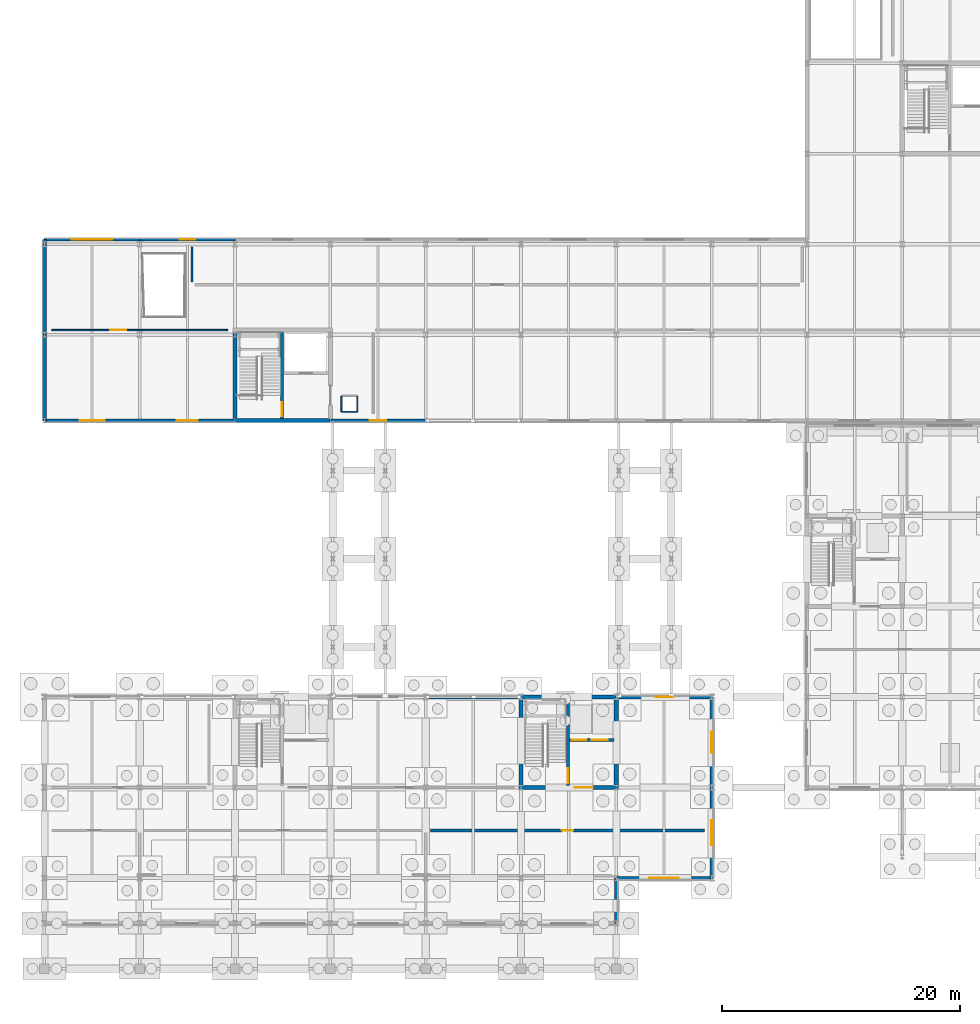
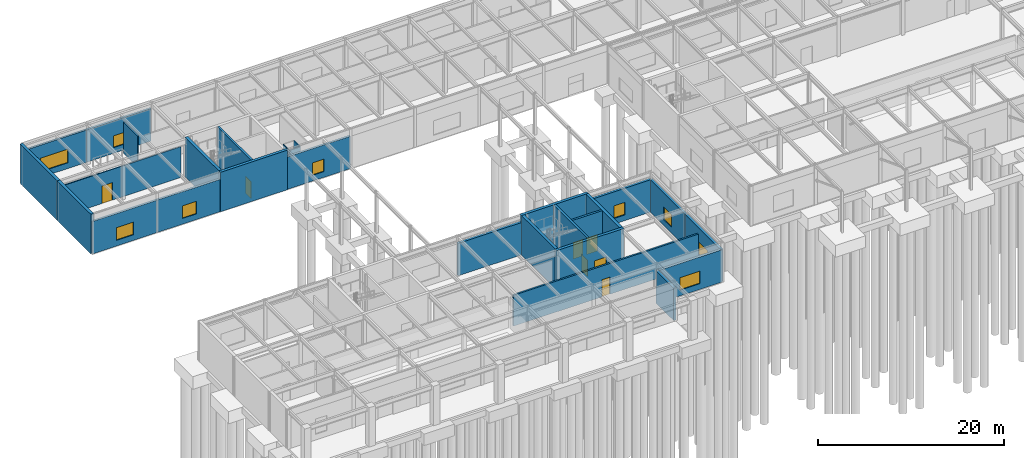
# One storey, part 41 of 62: 28 walls, 9 windows, 7 doors, 16 openings.
"""IFC4 building model written with IfcOpenShell, lengths in metres."""

from ifc_helpers import new_model, si_unit, direction, frame, frame_2d, origin, place, context, subcontext, project, spatial, rectangle, extrude, material, layer, layer_set, type_object, element, fill, save


model = new_model("IFC4")

# Units and contexts
model_context = context("Model", 3, precision=1e-05, world=origin(), true_north=direction((0.0, 1.0)))
body_context = subcontext(model_context, "Body", "Model", "MODEL_VIEW")
ifc_project = project(units=[si_unit("LENGTHUNIT", "METRE"), si_unit("AREAUNIT", "SQUARE_METRE"), si_unit("VOLUMEUNIT", "CUBIC_METRE"), si_unit("PLANEANGLEUNIT", "RADIAN"), si_unit("MASSUNIT", "GRAM", prefix="KILO")], contexts=[model_context])

# Site, building, storey
site_placement = place(None, origin())
site = spatial("IfcSite", under=ifc_project, at=site_placement, CompositionType="ELEMENT")
building_placement = place(site_placement, origin())
building = spatial("IfcBuilding", under=site, at=building_placement, Name="Zulena Civic Courthouse", CompositionType="ELEMENT")
storey_placement = place(building_placement, origin())
storey = spatial("IfcBuildingStorey", under=building, at=storey_placement, Name="L00", CompositionType="ELEMENT", Elevation=0.0)

# Wall, opening, door
ifc_material_1 = material(Name="Concrete C40/50", Category="concrete")
ifc_layer_1 = layer(ifc_material_1, 0.25)
ifc_layer_set_1 = layer_set([ifc_layer_1], Name="Concrete C40/50")
wall_type_1 = type_object("IfcWallType", Name="CoreShearWall_RC250", PredefinedType="SHEAR", material=ifc_layer_set_1)
wall_1_placement = place(storey_placement, frame((47.949951171875, 15.375, 0.0), z_axis=(0.0, 0.0, 1.0), x_axis=(0.0, 1.0, 0.0)))
wall_1 = element("IfcWall", 1, at=wall_1_placement, inside=storey, type_object=wall_type_1, Name="cwall:K2B:L00:DIV", PredefinedType="SHEAR", context=body_context, shape_type="SweptSolid", body=[
    extrude(rectangle(XDim=7.25, YDim=0.25, at=frame_2d((3.625, 0.0))), origin(), (0.0, 0.0, 1.0), 5.18994140625),
])
opening_1_placement = place(wall_1_placement, frame((0.179931640625, 0.0, 0.0)))
opening_1 = element("IfcOpeningElement", 2, at=opening_1_placement, cuts=wall_1, Name="Opening ID06", PredefinedType="OPENING", context=body_context, shape_type="SweptSolid", body=[
    extrude(rectangle(XDim=1.25, YDim=2.199951171875, at=frame_2d((0.625, 1.10009765625))), frame((0.0, 0.135009765625, 0.0), z_axis=(0.0, -1.0, 0.0), x_axis=(1.0, 0.0, 0.0)), (0.0, 0.0, 1.0), 0.27001953125),
])
ifc_material_2 = material(Name="Fire-rated galvanised steel ASTM A653 Grade 50", Category="steel")
door_type_1 = type_object("IfcDoorType", Name="IntDoor_Stair_1250x2200", OperationType="NOTDEFINED", PredefinedType="DOOR", material=ifc_material_2)
door_1_placement = place(opening_1_placement, origin())
door_1 = element("IfcDoor", 3, at=door_1_placement, inside=storey, type_object=door_type_1, Name="door:stair:K2B:L00", OperationType="SINGLE_SWING_LEFT", OverallHeight=2.199951171875, OverallWidth=1.25, PredefinedType="DOOR", context=body_context, shape_type="SweptSolid", body=[
    extrude(rectangle(XDim=1.25, YDim=2.199951171875, at=frame_2d((0.625, 1.10009765625))), frame((0.0, 0.02490234375, 0.0), z_axis=(0.0, -1.0, 0.0), x_axis=(1.0, 0.0, 0.0)), (0.0, 0.0, 1.0), 0.050048828125),
])
fill(opening_1, door_1)

# Wall, openings, doors
wall_2_placement = place(storey_placement, frame((48.074951171875, 19.199951171875, 0.0), z_axis=(0.0, 0.0, 1.0), x_axis=(1.0, 0.0, 0.0)))
wall_2 = element("IfcWall", 4, at=wall_2_placement, inside=storey, type_object=wall_type_1, Name="cwall:K2B:L00:SHF", PredefinedType="SHEAR", context=body_context, shape_type="SweptSolid", body=[
    extrude(rectangle(XDim=3.75, YDim=0.25, at=frame_2d((1.875, 0.0))), origin(), (0.0, 0.0, 1.0), 5.18994140625),
])
opening_2_placement = place(wall_2_placement, frame((0.179931640625, 0.0, 0.0)))
opening_2 = element("IfcOpeningElement", 5, at=opening_2_placement, cuts=wall_2, Name="Opening LD01", PredefinedType="OPENING", context=body_context, shape_type="SweptSolid", body=[
    extrude(rectangle(XDim=1.199951171875, YDim=2.199951171875, at=frame_2d((0.60009765625, 1.10009765625))), frame((0.0, 0.135009765625, 0.0), z_axis=(0.0, -1.0, 0.0), x_axis=(1.0, 0.0, 0.0)), (0.0, 0.0, 1.0), 0.27001953125),
])
opening_3_placement = place(wall_2_placement, frame((1.85009765625, 0.0, 0.0)))
opening_3 = element("IfcOpeningElement", 6, at=opening_3_placement, cuts=wall_2, Name="Opening LD04", PredefinedType="OPENING", context=body_context, shape_type="SweptSolid", body=[
    extrude(rectangle(XDim=1.35009765625, YDim=2.199951171875, at=frame_2d((0.675048828125, 1.10009765625))), frame((0.0, 0.135009765625, 0.0), z_axis=(0.0, -1.0, 0.0), x_axis=(1.0, 0.0, 0.0)), (0.0, 0.0, 1.0), 0.27001953125),
])
door_type_2 = type_object("IfcDoorType", Name="LiftLandingDoor_FF_1200x2200", OperationType="SLIDING_TO_LEFT", PredefinedType="DOOR", material=ifc_material_2)
door_2_placement = place(opening_2_placement, origin())
door_2 = element("IfcDoor", 7, at=door_2_placement, inside=storey, type_object=door_type_2, Name="door:ld:FL-02:L00", OperationType="SLIDING_TO_LEFT", OverallHeight=2.199951171875, OverallWidth=1.199951171875, PredefinedType="DOOR", context=body_context, shape_type="SweptSolid", body=[
    extrude(rectangle(XDim=1.199951171875, YDim=2.199951171875, at=frame_2d((0.60009765625, 1.10009765625))), frame((0.0, 0.02490234375, 0.0), z_axis=(0.0, -1.0, 0.0), x_axis=(1.0, 0.0, 0.0)), (0.0, 0.0, 1.0), 0.050048828125),
])
fill(opening_2, door_2)
door_type_3 = type_object("IfcDoorType", Name="LiftLandingDoor_Goods_1350x2300", OperationType="DOUBLE_DOOR_SLIDING", PredefinedType="DOOR", material=ifc_material_2)
door_3_placement = place(opening_3_placement, origin())
door_3 = element("IfcDoor", 8, at=door_3_placement, inside=storey, type_object=door_type_3, Name="door:ld:CL-01:L00", OperationType="DOUBLE_DOOR_SLIDING", OverallHeight=2.199951171875, OverallWidth=1.35009765625, PredefinedType="DOOR", context=body_context, shape_type="SweptSolid", body=[
    extrude(rectangle(XDim=1.35009765625, YDim=2.199951171875, at=frame_2d((0.675048828125, 1.10009765625))), frame((0.0, 0.02490234375, 0.0), z_axis=(0.0, -1.0, 0.0), x_axis=(1.0, 0.0, 0.0)), (0.0, 0.0, 1.0), 0.050048828125),
])
fill(opening_3, door_3)

# Wall, opening, door
wall_3_placement = place(storey_placement, frame((23.949951171875, 46.175048828125, 0.0), z_axis=(0.0, 0.0, 1.0), x_axis=(0.0, 1.0, 0.0)))
wall_3 = element("IfcWall", 9, at=wall_3_placement, inside=storey, type_object=wall_type_1, Name="cwall:K5A:L00:DIV", PredefinedType="SHEAR", context=body_context, shape_type="SweptSolid", body=[
    extrude(rectangle(XDim=7.25, YDim=0.25, at=frame_2d((3.625, 0.0))), origin(), (0.0, 0.0, 1.0), 5.18994140625),
])
opening_4_placement = place(wall_3_placement, frame((0.179931640625, 0.0, 0.0)))
opening_4 = element("IfcOpeningElement", 10, at=opening_4_placement, cuts=wall_3, Name="Opening ID07", PredefinedType="OPENING", context=body_context, shape_type="SweptSolid", body=[
    extrude(rectangle(XDim=1.199951171875, YDim=2.199951171875, at=frame_2d((0.60009765625, 1.10009765625))), frame((0.0, 0.135009765625, 0.0), z_axis=(0.0, -1.0, 0.0), x_axis=(1.0, 0.0, 0.0)), (0.0, 0.0, 1.0), 0.27001953125),
])
door_type_4 = type_object("IfcDoorType", Name="IntDoor_Stair_1200x2200", OperationType="NOTDEFINED", PredefinedType="DOOR", material=ifc_material_2)
door_4_placement = place(opening_4_placement, origin())
door_4 = element("IfcDoor", 11, at=door_4_placement, inside=storey, type_object=door_type_4, Name="door:stair:K5A:L00", OperationType="SINGLE_SWING_RIGHT", OverallHeight=2.199951171875, OverallWidth=1.199951171875, PredefinedType="DOOR", context=body_context, shape_type="SweptSolid", body=[
    extrude(rectangle(XDim=1.199951171875, YDim=2.199951171875, at=frame_2d((0.60009765625, 1.10009765625))), frame((0.0, 0.02490234375, 0.0), z_axis=(0.0, -1.0, 0.0), x_axis=(1.0, 0.0, 0.0)), (0.0, 0.0, 1.0), 0.050048828125),
])
fill(opening_4, door_4)

ifc_layer_2 = layer(ifc_material_1, 0.35009765625)
ifc_layer_set_2 = layer_set([ifc_layer_2], Name="Concrete C40/50")
wall_type_2 = type_object("IfcWallType", Name="CoreShearWall_RC350", PredefinedType="SHEAR", material=ifc_layer_set_2)
wall_4_placement = place(storey_placement, frame((43.824951171875, 15.199951171875, 0.0), z_axis=(0.0, 0.0, 1.0), x_axis=(1.0, 0.0, 0.0)))
wall_4 = element("IfcWall", 12, at=wall_4_placement, inside=storey, type_object=wall_type_2, Name="cwall:K2B:L00:S", PredefinedType="SHEAR", context=body_context, shape_type="SweptSolid", body=[
    extrude(rectangle(XDim=8.35009765625, YDim=0.35009765625, at=frame_2d((4.175048828125, 0.0))), origin(), (0.0, 0.0, 1.0), 5.18994140625),
])
opening_5_placement = place(wall_4_placement, frame((4.68505859375, 0.0, 0.0)))
opening_5 = element("IfcOpeningElement", 13, at=opening_5_placement, cuts=wall_4, Name="Opening ID05", PredefinedType="OPENING", context=body_context, shape_type="SweptSolid", body=[
    extrude(rectangle(XDim=1.5, YDim=2.199951171875, at=frame_2d((0.75, 1.10009765625))), frame((0.0, 0.18505859375, 0.0), z_axis=(0.0, -1.0, 0.0), x_axis=(1.0, 0.0, 0.0)), (0.0, 0.0, 1.0), 0.3701171875),
])
door_type_5 = type_object("IfcDoorType", Name="IntDoor_FFLobby_1500x2200", OperationType="DOUBLE_DOOR_SINGLE_SWING", PredefinedType="DOOR", material=ifc_material_2)
door_5_placement = place(opening_5_placement, origin())
door_5 = element("IfcDoor", 14, at=door_5_placement, inside=storey, type_object=door_type_5, Name="door:corelob:K2B:L00", OperationType="DOUBLE_DOOR_SINGLE_SWING", OverallHeight=2.199951171875, OverallWidth=1.5, PredefinedType="DOOR", context=body_context, shape_type="SweptSolid", body=[
    extrude(rectangle(XDim=1.5, YDim=2.199951171875, at=frame_2d((0.75, 1.10009765625))), frame((0.0, 0.02490234375, 0.0), z_axis=(0.0, -1.0, 0.0), x_axis=(1.0, 0.0, 0.0)), (0.0, 0.0, 1.0), 0.050048828125),
])
fill(opening_5, door_5)

# Walls
wall_5_placement = place(storey_placement, frame((43.824951171875, 22.800048828125, 0.0), z_axis=(0.0, 0.0, 1.0), x_axis=(1.0, 0.0, 0.0)))
element("IfcWall", 15, at=wall_5_placement, inside=storey, type_object=wall_type_2, Name="cwall:K2B:L00:N", PredefinedType="SHEAR", context=body_context, shape_type="SweptSolid", body=[
    extrude(rectangle(XDim=8.35009765625, YDim=0.35009765625, at=frame_2d((4.175048828125, 0.0))), origin(), (0.0, 0.0, 1.0), 5.18994140625),
])
for number, where, z_axis, x_axis, name in (
    (16, (44.0, 15.375, 0.0), (0.0, 0.0, 1.0), (0.0, 1.0, 0.0), "cwall:K2B:L00:W"),
    (17, (52.0, 15.375, 0.0), (0.0, 0.0, 1.0), (0.0, 1.0, 0.0), "cwall:K2B:L00:E"),
):
    element("IfcWall", number, at=place(storey_placement, frame(where, z_axis=z_axis, x_axis=x_axis)), inside=storey, type_object=wall_type_2, Name=name, PredefinedType="SHEAR", context=body_context, shape_type="SweptSolid", body=[
        extrude(rectangle(XDim=7.25, YDim=0.35009765625, at=frame_2d((3.625, 0.0))), origin(), (0.0, 0.0, 1.0), 5.18994140625),
    ])
wall_6_placement = place(storey_placement, frame((19.824951171875, 46.0, 0.0), z_axis=(0.0, 0.0, 1.0), x_axis=(1.0, 0.0, 0.0)))
element("IfcWall", 18, at=wall_6_placement, inside=storey, type_object=wall_type_2, Name="cwall:K5A:L00:S", PredefinedType="SHEAR", context=body_context, shape_type="SweptSolid", body=[
    extrude(rectangle(XDim=8.35009765625, YDim=0.35009765625, at=frame_2d((4.175048828125, 0.0))), origin(), (0.0, 0.0, 1.0), 5.18994140625),
])
wall_7_placement = place(storey_placement, frame((20.0, 46.175048828125, 0.0), z_axis=(0.0, 0.0, 1.0), x_axis=(0.0, 1.0, 0.0)))
element("IfcWall", 19, at=wall_7_placement, inside=storey, type_object=wall_type_2, Name="cwall:K5A:L00:W", PredefinedType="SHEAR", context=body_context, shape_type="SweptSolid", body=[
    extrude(rectangle(XDim=7.25, YDim=0.35009765625, at=frame_2d((3.625, 0.0))), origin(), (0.0, 0.0, 1.0), 5.18994140625),
])

# Wall, opening, window
ifc_material_3 = material(Name="Buff architectural precast concrete C40/50", Category="concrete")
ifc_layer_3 = layer(ifc_material_3, 0.264892578125)
ifc_layer_set_3 = layer_set([ifc_layer_3], Name="Buff architectural precast concrete C40/50")
wall_type_3 = type_object("IfcWallType", Name="ExtWall_BuffPrecast_265", PredefinedType="STANDARD", material=ifc_layer_set_3)
wall_8_placement = place(storey_placement, frame((3.97998046875, 61.199951171875, 0.0), z_axis=(0.0, 0.0, 1.0), x_axis=(1.0, 0.0, 0.0)))
wall_8 = element("IfcWall", 20, at=wall_8_placement, inside=storey, type_object=wall_type_3, Name="ewall:V5:L00:1:0", PredefinedType="STANDARD", context=body_context, shape_type="SweptSolid", body=[
    extrude(rectangle(XDim=8.0400390625, YDim=0.264892578125, at=frame_2d((4.02001953125, 0.0))), origin(), (0.0, 0.0, 1.0), 4.25),
])
opening_6_placement = place(wall_8_placement, frame((2.320068359375, 0.0, 0.75)))
opening_6 = element("IfcOpeningElement", 21, at=opening_6_placement, cuts=wall_8, Name="Opening WN23", PredefinedType="OPENING", context=body_context, shape_type="SweptSolid", body=[
    extrude(rectangle(XDim=3.39990234375, YDim=1.800048828125, at=frame_2d((1.699951171875, 0.89990234375))), frame((0.0, 0.142333984375, 0.0), z_axis=(0.0, -1.0, 0.0), x_axis=(1.0, 0.0, 0.0)), (0.0, 0.0, 1.0), 0.284912109375),
])
ifc_material_4 = material(Name="Double-silver low-E laminated solar-control glass", Category="glass")
window_type_1 = type_object("IfcWindowType", Name="Win_3400x1800", PartitioningType="DOUBLE_PANEL_VERTICAL", PredefinedType="WINDOW", material=ifc_material_4)
window_1_placement = place(opening_6_placement, origin())
window_1 = element("IfcWindow", 22, at=window_1_placement, inside=storey, type_object=window_type_1, Name="win:V5:L00:1:0", OverallHeight=1.800048828125, OverallWidth=3.39990234375, PartitioningType="SINGLE_PANEL", PredefinedType="WINDOW", context=body_context, shape_type="SweptSolid", body=[
    extrude(rectangle(XDim=3.39990234375, YDim=1.800048828125, at=frame_2d((1.699951171875, 0.89990234375))), frame((0.0, 0.030029296875, 0.0), z_axis=(0.0, -1.0, 0.0), x_axis=(1.0, 0.0, 0.0)), (0.0, 0.0, 1.0), 0.06005859375),
])
fill(opening_6, window_1)

wall_9_placement = place(storey_placement, frame((11.97998046875, 61.199951171875, 0.0), z_axis=(0.0, 0.0, 1.0), x_axis=(1.0, 0.0, 0.0)))
wall_9 = element("IfcWall", 23, at=wall_9_placement, inside=storey, type_object=wall_type_3, Name="ewall:V5:L00:1:1", PredefinedType="STANDARD", context=body_context, shape_type="SweptSolid", body=[
    extrude(rectangle(XDim=8.0400390625, YDim=0.264892578125, at=frame_2d((4.02001953125, 0.0))), origin(), (0.0, 0.0, 1.0), 4.25),
])
opening_7_placement = place(wall_9_placement, frame((3.3701171875, 0.0, 0.75)))
opening_7 = element("IfcOpeningElement", 24, at=opening_7_placement, cuts=wall_9, Name="Opening WN24", PredefinedType="OPENING", context=body_context, shape_type="SweptSolid", body=[
    extrude(rectangle(XDim=1.300048828125, YDim=1.550048828125, at=frame_2d((0.64990234375, 0.77490234375))), frame((0.0, 0.142333984375, 0.0), z_axis=(0.0, -1.0, 0.0), x_axis=(1.0, 0.0, 0.0)), (0.0, 0.0, 1.0), 0.284912109375),
])
window_type_2 = type_object("IfcWindowType", Name="Win_1300x1550", PartitioningType="SINGLE_PANEL", PredefinedType="WINDOW", material=ifc_material_4)
window_2_placement = place(opening_7_placement, origin())
window_2 = element("IfcWindow", 25, at=window_2_placement, inside=storey, type_object=window_type_2, Name="win:V5:L00:1:1", OverallHeight=1.550048828125, OverallWidth=1.300048828125, PartitioningType="SINGLE_PANEL", PredefinedType="WINDOW", context=body_context, shape_type="SweptSolid", body=[
    extrude(rectangle(XDim=1.300048828125, YDim=1.550048828125, at=frame_2d((0.64990234375, 0.77490234375))), frame((0.0, 0.030029296875, 0.0), z_axis=(0.0, -1.0, 0.0), x_axis=(1.0, 0.0, 0.0)), (0.0, 0.0, 1.0), 0.06005859375),
])
fill(opening_7, window_2)

wall_10_placement = place(storey_placement, frame((36.02001953125, 46.0, 0.0), z_axis=(0.0, 0.0, 1.0), x_axis=(-1.0, 0.0, 0.0)))
wall_10 = element("IfcWall", 26, at=wall_10_placement, inside=storey, type_object=wall_type_3, Name="ewall:V5:L00:5:9", PredefinedType="STANDARD", context=body_context, shape_type="SweptSolid", body=[
    extrude(rectangle(XDim=8.0400390625, YDim=0.264892578125, at=frame_2d((4.02001953125, 0.0))), origin(), (0.0, 0.0, 1.0), 4.25),
])
opening_8_placement = place(wall_10_placement, frame((3.320068359375, 0.0, 0.75)))
opening_8 = element("IfcOpeningElement", 27, at=opening_8_placement, cuts=wall_10, Name="Opening WN42", PredefinedType="OPENING", context=body_context, shape_type="SweptSolid", body=[
    extrude(rectangle(XDim=1.39990234375, YDim=1.64990234375, at=frame_2d((0.699951171875, 0.824951171875))), frame((0.0, 0.142333984375, 0.0), z_axis=(0.0, -1.0, 0.0), x_axis=(1.0, 0.0, 0.0)), (0.0, 0.0, 1.0), 0.284912109375),
])
window_type_3 = type_object("IfcWindowType", Name="Win_1400x1650", PartitioningType="SINGLE_PANEL", PredefinedType="WINDOW", material=ifc_material_4)
window_3_placement = place(opening_8_placement, origin())
window_3 = element("IfcWindow", 28, at=window_3_placement, inside=storey, type_object=window_type_3, Name="win:V5:L00:5:9", OverallHeight=1.64990234375, OverallWidth=1.39990234375, PartitioningType="SINGLE_PANEL", PredefinedType="WINDOW", context=body_context, shape_type="SweptSolid", body=[
    extrude(rectangle(XDim=1.39990234375, YDim=1.64990234375, at=frame_2d((0.699951171875, 0.824951171875))), frame((0.0, 0.030029296875, 0.0), z_axis=(0.0, -1.0, 0.0), x_axis=(1.0, 0.0, 0.0)), (0.0, 0.0, 1.0), 0.06005859375),
])
fill(opening_8, window_3)

wall_11_placement = place(storey_placement, frame((20.02001953125, 46.0, 0.0), z_axis=(0.0, 0.0, 1.0), x_axis=(-1.0, 0.0, 0.0)))
wall_11 = element("IfcWall", 29, at=wall_11_placement, inside=storey, type_object=wall_type_3, Name="ewall:V5:L00:5:11", PredefinedType="STANDARD", context=body_context, shape_type="SweptSolid", body=[
    extrude(rectangle(XDim=8.0400390625, YDim=0.264892578125, at=frame_2d((4.02001953125, 0.0))), origin(), (0.0, 0.0, 1.0), 4.25),
])
opening_9_placement = place(wall_11_placement, frame((3.14501953125, 0.0, 0.75)))
opening_9 = element("IfcOpeningElement", 30, at=opening_9_placement, cuts=wall_11, Name="Opening WN43", PredefinedType="OPENING", context=body_context, shape_type="SweptSolid", body=[
    extrude(rectangle(XDim=1.75, YDim=1.64990234375, at=frame_2d((0.875, 0.824951171875))), frame((0.0, 0.142333984375, 0.0), z_axis=(0.0, -1.0, 0.0), x_axis=(1.0, 0.0, 0.0)), (0.0, 0.0, 1.0), 0.284912109375),
])
window_type_4 = type_object("IfcWindowType", Name="Win_1750x1650", PartitioningType="SINGLE_PANEL", PredefinedType="WINDOW", material=ifc_material_4)
window_4_placement = place(opening_9_placement, origin())
window_4 = element("IfcWindow", 31, at=window_4_placement, inside=storey, type_object=window_type_4, Name="win:V5:L00:5:11", OverallHeight=1.64990234375, OverallWidth=1.75, PartitioningType="SINGLE_PANEL", PredefinedType="WINDOW", context=body_context, shape_type="SweptSolid", body=[
    extrude(rectangle(XDim=1.75, YDim=1.64990234375, at=frame_2d((0.875, 0.824951171875))), frame((0.0, 0.030029296875, 0.0), z_axis=(0.0, -1.0, 0.0), x_axis=(1.0, 0.0, 0.0)), (0.0, 0.0, 1.0), 0.06005859375),
])
fill(opening_9, window_4)

wall_12_placement = place(storey_placement, frame((12.02001953125, 46.0, 0.0), z_axis=(0.0, 0.0, 1.0), x_axis=(-1.0, 0.0, 0.0)))
wall_12 = element("IfcWall", 32, at=wall_12_placement, inside=storey, type_object=wall_type_3, Name="ewall:V5:L00:5:12", PredefinedType="STANDARD", context=body_context, shape_type="SweptSolid", body=[
    extrude(rectangle(XDim=8.0400390625, YDim=0.264892578125, at=frame_2d((4.02001953125, 0.0))), origin(), (0.0, 0.0, 1.0), 4.25),
])
opening_10_placement = place(wall_12_placement, frame((2.969970703125, 0.0, 0.75)))
opening_10 = element("IfcOpeningElement", 33, at=opening_10_placement, cuts=wall_12, Name="Opening WN44", PredefinedType="OPENING", context=body_context, shape_type="SweptSolid", body=[
    extrude(rectangle(XDim=2.10009765625, YDim=1.64990234375, at=frame_2d((1.050048828125, 0.824951171875))), frame((0.0, 0.142333984375, 0.0), z_axis=(0.0, -1.0, 0.0), x_axis=(1.0, 0.0, 0.0)), (0.0, 0.0, 1.0), 0.284912109375),
])
window_type_5 = type_object("IfcWindowType", Name="Win_2100x1650", PartitioningType="DOUBLE_PANEL_VERTICAL", PredefinedType="WINDOW", material=ifc_material_4)
window_5_placement = place(opening_10_placement, origin())
window_5 = element("IfcWindow", 34, at=window_5_placement, inside=storey, type_object=window_type_5, Name="win:V5:L00:5:12", OverallHeight=1.64990234375, OverallWidth=2.10009765625, PartitioningType="SINGLE_PANEL", PredefinedType="WINDOW", context=body_context, shape_type="SweptSolid", body=[
    extrude(rectangle(XDim=2.10009765625, YDim=1.64990234375, at=frame_2d((1.050048828125, 0.824951171875))), frame((0.0, 0.030029296875, 0.0), z_axis=(0.0, -1.0, 0.0), x_axis=(1.0, 0.0, 0.0)), (0.0, 0.0, 1.0), 0.06005859375),
])
fill(opening_10, window_5)

# Walls
ifc_layer_4 = layer(ifc_material_1, 0.360107421875)
ifc_layer_set_4 = layer_set([ifc_layer_4], Name="Concrete C40/50")
wall_type_4 = type_object("IfcWallType", Name="ExtWall_PartyWall_360", PredefinedType="STANDARD", material=ifc_layer_set_4)
wall_13_placement = place(storey_placement, frame((4.0, 45.97998046875, 0.0), z_axis=(0.0, 0.0, 1.0), x_axis=(0.0, 1.0, 0.0)))
element("IfcWall", 35, at=wall_13_placement, inside=storey, type_object=wall_type_4, Name="ewall:V5:L00:0:0", PredefinedType="STANDARD", context=body_context, shape_type="SweptSolid", body=[
    extrude(rectangle(XDim=7.239990234375, YDim=0.360107421875, at=frame_2d((3.6201171875, 0.0))), origin(), (0.0, 0.0, 1.0), 5.18994140625),
])
wall_14_placement = place(storey_placement, frame((4.0, 53.179931640625, 0.0), z_axis=(0.0, 0.0, 1.0), x_axis=(0.0, 1.0, 0.0)))
element("IfcWall", 36, at=wall_14_placement, inside=storey, type_object=wall_type_4, Name="ewall:V5:L00:0:1", PredefinedType="STANDARD", context=body_context, shape_type="SweptSolid", body=[
    extrude(rectangle(XDim=8.0400390625, YDim=0.360107421875, at=frame_2d((4.02001953125, 0.0))), origin(), (0.0, 0.0, 1.0), 5.18994140625),
])
ifc_material_5 = material(Name="White architectural precast concrete C40/50", Category="concrete")
ifc_layer_5 = layer(ifc_material_5, 0.300048828125)
ifc_layer_set_5 = layer_set([ifc_layer_5], Name="White architectural precast concrete C40/50")
wall_type_5 = type_object("IfcWallType", Name="ExtWall_WhitePrecast_300", PredefinedType="STANDARD", material=ifc_layer_set_5)
wall_15_placement = place(storey_placement, frame((35.97998046875, 22.800048828125, 0.0), z_axis=(0.0, 0.0, 1.0), x_axis=(1.0, 0.0, 0.0)))
element("IfcWall", 37, at=wall_15_placement, inside=storey, type_object=wall_type_5, Name="ewall:V2:L00:1:4", PredefinedType="STANDARD", context=body_context, shape_type="SweptSolid", body=[
    extrude(rectangle(XDim=8.0400390625, YDim=0.300048828125, at=frame_2d((4.02001953125, 0.0))), origin(), (0.0, 0.0, 1.0), 4.25),
])

# Wall, opening, window
wall_16_placement = place(storey_placement, frame((51.97998046875, 22.800048828125, 0.0), z_axis=(0.0, 0.0, 1.0), x_axis=(1.0, 0.0, 0.0)))
wall_16 = element("IfcWall", 38, at=wall_16_placement, inside=storey, type_object=wall_type_5, Name="ewall:V2:L00:1:6", PredefinedType="STANDARD", context=body_context, shape_type="SweptSolid", body=[
    extrude(rectangle(XDim=8.0400390625, YDim=0.300048828125, at=frame_2d((4.02001953125, 0.0))), origin(), (0.0, 0.0, 1.0), 4.25),
])
opening_11_placement = place(wall_16_placement, frame((3.320068359375, 0.0, 0.75)))
opening_11 = element("IfcOpeningElement", 39, at=opening_11_placement, cuts=wall_16, Name="Opening WN42", PredefinedType="OPENING", context=body_context, shape_type="SweptSolid", body=[
    extrude(rectangle(XDim=1.39990234375, YDim=1.64990234375, at=frame_2d((0.699951171875, 0.824951171875))), frame((0.0, 0.159912109375, 0.0), z_axis=(0.0, -1.0, 0.0), x_axis=(1.0, 0.0, 0.0)), (0.0, 0.0, 1.0), 0.320068359375),
])
window_6_placement = place(opening_11_placement, origin())
window_6 = element("IfcWindow", 40, at=window_6_placement, inside=storey, type_object=window_type_3, Name="win:V2:L00:1:6", OverallHeight=1.64990234375, OverallWidth=1.39990234375, PartitioningType="SINGLE_PANEL", PredefinedType="WINDOW", context=body_context, shape_type="SweptSolid", body=[
    extrude(rectangle(XDim=1.39990234375, YDim=1.64990234375, at=frame_2d((0.699951171875, 0.824951171875))), frame((0.0, 0.030029296875, 0.0), z_axis=(0.0, -1.0, 0.0), x_axis=(1.0, 0.0, 0.0)), (0.0, 0.0, 1.0), 0.06005859375),
])
fill(opening_11, window_6)

wall_17_placement = place(storey_placement, frame((60.0, 22.820068359375, 0.0), z_axis=(0.0, 0.0, 1.0), x_axis=(0.0, -1.0, 0.0)))
wall_17 = element("IfcWall", 41, at=wall_17_placement, inside=storey, type_object=wall_type_5, Name="ewall:V2:L00:2:0", PredefinedType="STANDARD", context=body_context, shape_type="SweptSolid", body=[
    extrude(rectangle(XDim=7.64013671875, YDim=0.300048828125, at=frame_2d((3.820068359375, 0.0))), origin(), (0.0, 0.0, 1.0), 4.25),
])
opening_12_placement = place(wall_17_placement, frame((2.945068359375, 0.0, 0.75)))
opening_12 = element("IfcOpeningElement", 42, at=opening_12_placement, cuts=wall_17, Name="Opening WN43", PredefinedType="OPENING", context=body_context, shape_type="SweptSolid", body=[
    extrude(rectangle(XDim=1.75, YDim=1.64990234375, at=frame_2d((0.875, 0.824951171875))), frame((0.0, 0.159912109375, 0.0), z_axis=(0.0, -1.0, 0.0), x_axis=(1.0, 0.0, 0.0)), (0.0, 0.0, 1.0), 0.320068359375),
])
window_7_placement = place(opening_12_placement, origin())
window_7 = element("IfcWindow", 43, at=window_7_placement, inside=storey, type_object=window_type_4, Name="win:V2:L00:2:0", OverallHeight=1.64990234375, OverallWidth=1.75, PartitioningType="SINGLE_PANEL", PredefinedType="WINDOW", context=body_context, shape_type="SweptSolid", body=[
    extrude(rectangle(XDim=1.75, YDim=1.64990234375, at=frame_2d((0.875, 0.824951171875))), frame((0.0, 0.030029296875, 0.0), z_axis=(0.0, -1.0, 0.0), x_axis=(1.0, 0.0, 0.0)), (0.0, 0.0, 1.0), 0.06005859375),
])
fill(opening_12, window_7)

wall_18_placement = place(storey_placement, frame((60.0, 15.219970703125, 0.0), z_axis=(0.0, 0.0, 1.0), x_axis=(0.0, -1.0, 0.0)))
wall_18 = element("IfcWall", 44, at=wall_18_placement, inside=storey, type_object=wall_type_5, Name="ewall:V2:L00:2:1", PredefinedType="STANDARD", context=body_context, shape_type="SweptSolid", body=[
    extrude(rectangle(XDim=7.639892578125, YDim=0.300048828125, at=frame_2d((3.81982421875, 0.0))), origin(), (0.0, 0.0, 1.0), 4.25),
])
opening_13_placement = place(wall_18_placement, frame((2.77001953125, 0.0, 0.75)))
opening_13 = element("IfcOpeningElement", 45, at=opening_13_placement, cuts=wall_18, Name="Opening WN44", PredefinedType="OPENING", context=body_context, shape_type="SweptSolid", body=[
    extrude(rectangle(XDim=2.10009765625, YDim=1.64990234375, at=frame_2d((1.050048828125, 0.824951171875))), frame((0.0, 0.159912109375, 0.0), z_axis=(0.0, -1.0, 0.0), x_axis=(1.0, 0.0, 0.0)), (0.0, 0.0, 1.0), 0.320068359375),
])
window_8_placement = place(opening_13_placement, origin())
window_8 = element("IfcWindow", 46, at=window_8_placement, inside=storey, type_object=window_type_5, Name="win:V2:L00:2:1", OverallHeight=1.64990234375, OverallWidth=2.10009765625, PartitioningType="SINGLE_PANEL", PredefinedType="WINDOW", context=body_context, shape_type="SweptSolid", body=[
    extrude(rectangle(XDim=2.10009765625, YDim=1.64990234375, at=frame_2d((1.050048828125, 0.824951171875))), frame((0.0, 0.030029296875, 0.0), z_axis=(0.0, -1.0, 0.0), x_axis=(1.0, 0.0, 0.0)), (0.0, 0.0, 1.0), 0.06005859375),
])
fill(opening_13, window_8)

wall_19_placement = place(storey_placement, frame((60.02001953125, 7.60009765625, 0.0), z_axis=(0.0, 0.0, 1.0), x_axis=(-1.0, 0.0, 0.0)))
wall_19 = element("IfcWall", 47, at=wall_19_placement, inside=storey, type_object=wall_type_5, Name="ewall:V2:L00:3:0", PredefinedType="STANDARD", context=body_context, shape_type="SweptSolid", body=[
    extrude(rectangle(XDim=8.0400390625, YDim=0.300048828125, at=frame_2d((4.02001953125, 0.0))), origin(), (0.0, 0.0, 1.0), 4.25),
])
opening_14_placement = place(wall_19_placement, frame((2.77001953125, 0.0, 0.75)))
opening_14 = element("IfcOpeningElement", 48, at=opening_14_placement, cuts=wall_19, Name="Opening WN45", PredefinedType="OPENING", context=body_context, shape_type="SweptSolid", body=[
    extrude(rectangle(XDim=2.5, YDim=1.64990234375, at=frame_2d((1.25, 0.824951171875))), frame((0.0, 0.159912109375, 0.0), z_axis=(0.0, -1.0, 0.0), x_axis=(1.0, 0.0, 0.0)), (0.0, 0.0, 1.0), 0.320068359375),
])
window_type_6 = type_object("IfcWindowType", Name="Win_2500x1650", PartitioningType="DOUBLE_PANEL_VERTICAL", PredefinedType="WINDOW", material=ifc_material_4)
window_9_placement = place(opening_14_placement, origin())
window_9 = element("IfcWindow", 49, at=window_9_placement, inside=storey, type_object=window_type_6, Name="win:V2:L00:3:0", OverallHeight=1.64990234375, OverallWidth=2.5, PartitioningType="SINGLE_PANEL", PredefinedType="WINDOW", context=body_context, shape_type="SweptSolid", body=[
    extrude(rectangle(XDim=2.5, YDim=1.64990234375, at=frame_2d((1.25, 0.824951171875))), frame((0.0, 0.030029296875, 0.0), z_axis=(0.0, -1.0, 0.0), x_axis=(1.0, 0.0, 0.0)), (0.0, 0.0, 1.0), 0.06005859375),
])
fill(opening_14, window_9)

# Walls
wall_20_placement = place(storey_placement, frame((52.0, 7.6201171875, 0.0), z_axis=(0.0, 0.0, 1.0), x_axis=(0.0, -1.0, 0.0)))
element("IfcWall", 50, at=wall_20_placement, inside=storey, type_object=wall_type_5, Name="ewall:V2:L00:4:0", PredefinedType="STANDARD", context=body_context, shape_type="SweptSolid", body=[
    extrude(rectangle(XDim=3.840087890625, YDim=0.300048828125, at=frame_2d((1.919921875, 0.0))), origin(), (0.0, 0.0, 1.0), 4.25),
])
ifc_material_6 = material(Name="Acoustic fire-rated gypsum board assembly", Category="masonry")
ifc_layer_6 = layer(ifc_material_6, 0.177978515625)
ifc_layer_set_6 = layer_set([ifc_layer_6], Name="Acoustic fire-rated gypsum board assembly")
wall_type_6 = type_object("IfcWallType", Name="PartWall_Corridor_178", PredefinedType="PARTITIONING", material=ifc_layer_set_6)
wall_21_placement = place(storey_placement, frame((16.39990234375, 57.6201171875, 0.0), z_axis=(0.0, 0.0, 1.0), x_axis=(0.0, 1.0, 0.0)))
element("IfcWall", 51, at=wall_21_placement, inside=storey, type_object=wall_type_6, Name="pwall:L00:377:2", PredefinedType="PARTITIONING", context=body_context, shape_type="SweptSolid", body=[
    extrude(rectangle(XDim=2.9599609375, YDim=0.177978515625, at=frame_2d((1.47998046875, 0.0))), origin(), (0.0, 0.0, 1.0), 4.050048828125),
])

# Wall, opening, door
ifc_layer_7 = layer(ifc_material_6, 0.215087890625)
ifc_layer_set_7 = layer_set([ifc_layer_7], Name="Acoustic fire-rated gypsum board assembly")
wall_type_7 = type_object("IfcWallType", Name="PartWall_CourtAcoustic_215", PredefinedType="PARTITIONING", material=ifc_layer_set_7)
wall_22_placement = place(storey_placement, frame((36.419921875, 11.60009765625, 0.0), z_axis=(0.0, 0.0, 1.0), x_axis=(1.0, 0.0, 0.0)))
wall_22 = element("IfcWall", 52, at=wall_22_placement, inside=storey, type_object=wall_type_7, Name="pwall:L00:291:0", PredefinedType="PARTITIONING", context=body_context, shape_type="SweptSolid", body=[
    extrude(rectangle(XDim=22.9599609375, YDim=0.215087890625, at=frame_2d((11.47998046875, 0.0))), origin(), (0.0, 0.0, 1.0), 4.050048828125),
])
opening_15_placement = place(wall_22_placement, frame((11.0, 0.0, 0.0)))
opening_15 = element("IfcOpeningElement", 53, at=opening_15_placement, cuts=wall_22, Name="Opening ID14", PredefinedType="OPENING", context=body_context, shape_type="SweptSolid", body=[
    extrude(rectangle(XDim=0.9599609375, YDim=2.25, at=frame_2d((0.47998046875, 1.125))), frame((0.0, 0.117431640625, 0.0), z_axis=(0.0, -1.0, 0.0), x_axis=(1.0, 0.0, 0.0)), (0.0, 0.0, 1.0), 0.235107421875),
])
ifc_material_7 = material(Name="Solid-core acoustic hardwood timber", Category="wood")
door_type_6 = type_object("IfcDoorType", Name="IntDoor_Chambers_960x2250", OperationType="NOTDEFINED", PredefinedType="DOOR", material=ifc_material_7)
door_6_placement = place(opening_15_placement, origin())
door_6 = element("IfcDoor", 54, at=door_6_placement, inside=storey, type_object=door_type_6, Name="door:rm:L00:291", OperationType="SINGLE_SWING_RIGHT", OverallHeight=2.25, OverallWidth=0.9599609375, PredefinedType="DOOR", context=body_context, shape_type="SweptSolid", body=[
    extrude(rectangle(XDim=0.9599609375, YDim=2.25, at=frame_2d((0.47998046875, 1.125))), frame((0.0, 0.02490234375, 0.0), z_axis=(0.0, -1.0, 0.0), x_axis=(1.0, 0.0, 0.0)), (0.0, 0.0, 1.0), 0.050048828125),
])
fill(opening_15, door_6)

# Walls
ifc_material_8 = material(Name="Insulated blockwork masonry ASTM C90", Category="masonry")
ifc_layer_8 = layer(ifc_material_8, 0.114990234375)
ifc_layer_set_8 = layer_set([ifc_layer_8], Name="Insulated blockwork masonry ASTM C90")
wall_type_8 = type_object("IfcWallType", Name="PartWall_Riser_115", PredefinedType="PARTITIONING", material=ifc_layer_set_8)
for number, where, z_axis, x_axis, name in (
    (55, (28.93994140625, 46.739990234375, 0.0), (0.0, 0.0, 1.0), (1.0, 0.0, 0.0), "riser:RS-V5W:L00:0"),
    (56, (30.260009765625, 46.739990234375, 0.0), (0.0, 0.0, 1.0), (0.0, 1.0, 0.0), "riser:RS-V5W:L00:1"),
    (57, (28.93994140625, 48.06005859375, 0.0), (0.0, 0.0, 1.0), (0.0, -1.0, 0.0), "riser:RS-V5W:L00:3"),
):
    element("IfcWall", number, at=place(storey_placement, frame(where, z_axis=z_axis, x_axis=x_axis)), inside=storey, type_object=wall_type_8, Name=name, PredefinedType="PARTITIONING", context=body_context, shape_type="SweptSolid", body=[
        extrude(rectangle(XDim=1.320068359375, YDim=0.114990234375, at=frame_2d((0.66015625, 0.0))), origin(), (0.0, 0.0, 1.0), 4.35009765625),
    ])

# Wall, opening, door
ifc_layer_9 = layer(ifc_material_8, 0.1279296875)
ifc_layer_set_9 = layer_set([ifc_layer_9], Name="Insulated blockwork masonry ASTM C90")
wall_type_9 = type_object("IfcWallType", Name="PartWall_WetRoom_128", PredefinedType="PARTITIONING", material=ifc_layer_set_9)
wall_23_placement = place(storey_placement, frame((4.6201171875, 53.60009765625, 0.0), z_axis=(0.0, 0.0, 1.0), x_axis=(1.0, 0.0, 0.0)))
wall_23 = element("IfcWall", 58, at=wall_23_placement, inside=storey, type_object=wall_type_9, Name="pwall:L00:378:0", PredefinedType="PARTITIONING", context=body_context, shape_type="SweptSolid", body=[
    extrude(rectangle(XDim=14.759765625, YDim=0.1279296875, at=frame_2d((7.3798828125, 0.0))), origin(), (0.0, 0.0, 1.0), 4.050048828125),
])
opening_16_placement = place(wall_23_placement, frame((4.919921875, 0.0, 0.0)))
opening_16 = element("IfcOpeningElement", 59, at=opening_16_placement, cuts=wall_23, Name="Opening ID30", PredefinedType="OPENING", context=body_context, shape_type="SweptSolid", body=[
    extrude(rectangle(XDim=1.320068359375, YDim=2.300048828125, at=frame_2d((0.66015625, 1.14990234375))), frame((0.0, 0.073974609375, 0.0), z_axis=(0.0, -1.0, 0.0), x_axis=(1.0, 0.0, 0.0)), (0.0, 0.0, 1.0), 0.14794921875),
])
door_type_7 = type_object("IfcDoorType", Name="IntDoor_Conference_1320x2300", OperationType="NOTDEFINED", PredefinedType="DOOR", material=ifc_material_7)
door_7_placement = place(opening_16_placement, origin())
door_7 = element("IfcDoor", 60, at=door_7_placement, inside=storey, type_object=door_type_7, Name="door:rm:L00:378", OperationType="SINGLE_SWING_LEFT", OverallHeight=2.300048828125, OverallWidth=1.320068359375, PredefinedType="DOOR", context=body_context, shape_type="SweptSolid", body=[
    extrude(rectangle(XDim=1.320068359375, YDim=2.300048828125, at=frame_2d((0.66015625, 1.14990234375))), frame((0.0, 0.02490234375, 0.0), z_axis=(0.0, -1.0, 0.0), x_axis=(1.0, 0.0, 0.0)), (0.0, 0.0, 1.0), 0.050048828125),
])
fill(opening_16, door_7)

save(model, "model.ifc")
